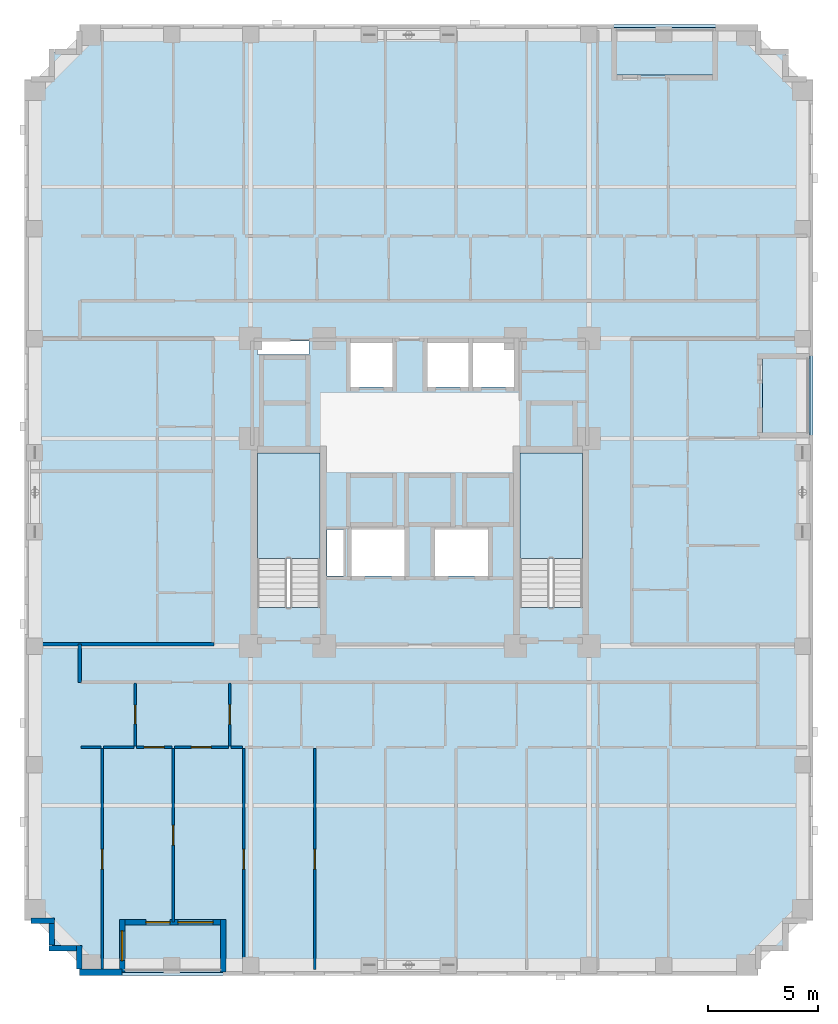
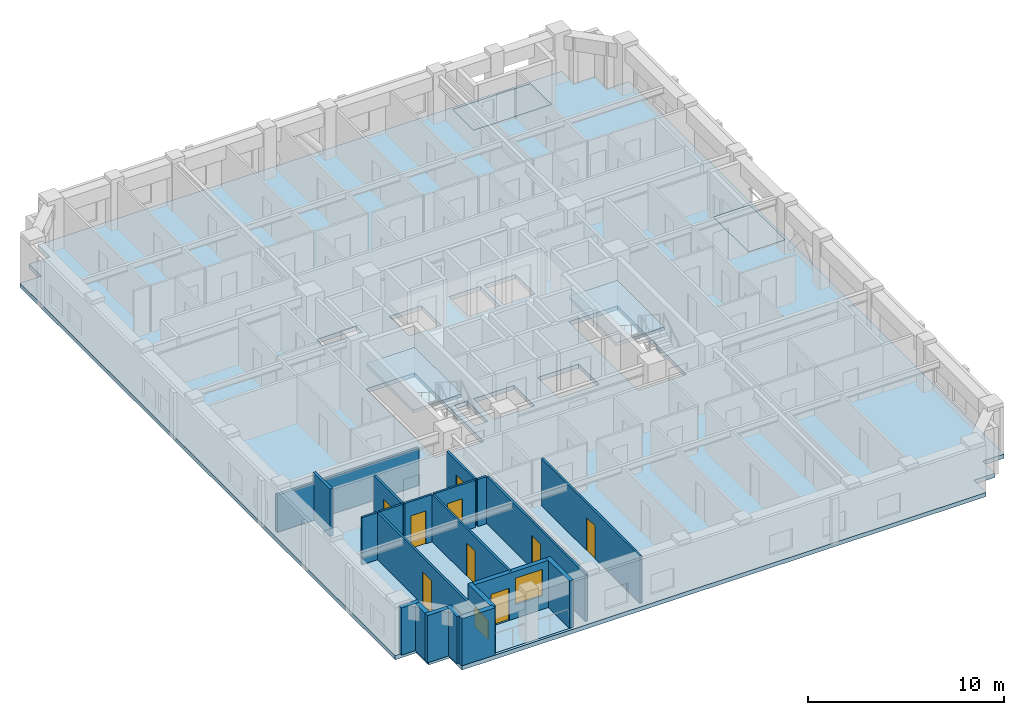
# One storey, part 2 of 13: 21 walls, 9 doors, 6 slabs, 2 windows, 11 openings, 2 elements without a shape of their own.
"""IFC4 building model written with IfcOpenShell, lengths in metres."""

from ifc_helpers import new_model, si_unit, derived_unit, direction, frame, frame_2d, origin, place, context, subcontext, project, spatial, polyline, rectangle, outline, extrude, material, layer, layer_set, type_object, element, fill, aggregate, save


model = new_model("IFC4")

# Units and contexts
model_context = context("Model", 3, precision=1e-05, world=origin(), true_north=direction((0.0, 1.0)))
body_context = subcontext(model_context, "Body", "Model", "MODEL_VIEW")
ifc_project = project(units=[si_unit("LENGTHUNIT", "METRE"), si_unit("AREAUNIT", "SQUARE_METRE"), si_unit("VOLUMEUNIT", "CUBIC_METRE"), si_unit("PLANEANGLEUNIT", "RADIAN"), si_unit("MASSUNIT", "GRAM", prefix="KILO"), derived_unit("THERMALTRANSMITTANCEUNIT", [(si_unit("MASSUNIT", "GRAM", prefix="KILO"), 1), (si_unit("TIMEUNIT", "SECOND"), -3), (si_unit("THERMODYNAMICTEMPERATUREUNIT", "KELVIN"), -1)])], contexts=[model_context])

# Site, building, storey
site_placement = place(None, origin())
site = spatial("IfcSite", under=ifc_project, at=site_placement, CompositionType="ELEMENT")
building_placement = place(site_placement, origin())
building = spatial("IfcBuilding", under=site, at=building_placement, Name="Korrvale Station Residences", CompositionType="ELEMENT")
storey_placement = place(building_placement, frame((0.0, 0.0, 100.699951171875)))
storey = spatial("IfcBuildingStorey", under=building, at=storey_placement, Name="L28", CompositionType="ELEMENT", Elevation=100.699951171875)

# Slabs
ifc_material_1 = material(Name="Concrete C50/60", Category="concrete")
ifc_layer_1 = layer(ifc_material_1, 0.219970703125, Name="Concrete C50/60")
ifc_layer_set_1 = layer_set([ifc_layer_1], Name="Concrete C50/60")
slab_type_1 = type_object("IfcSlabType", Name="SLB-BAL-220", PredefinedType="FLOOR", material=ifc_layer_set_1)
slab_1_placement = place(storey_placement, frame((0.0, 0.0, -0.219970703125)))
element("IfcSlab", 1, at=slab_1_placement, inside=storey, type_object=slab_type_1, Name="L28 Recessed Loggia Balcony Slab BAL-L28-S1", PredefinedType="FLOOR", context=body_context, shape_type="SweptSolid", body=[
    extrude(outline(polyline([(11.949951171875, 0.14990234375), (16.550048828125, 0.14990234375), (16.550048828125, 2.300048828125), (11.949951171875, 2.300048828125), (11.949951171875, 0.14990234375)])), origin(), (0.0, 0.0, 1.0), 0.219970703125),
])
slab_2_placement = place(storey_placement, frame((0.0, 0.0, -0.219970703125)))
element("IfcSlab", 2, at=slab_2_placement, inside=storey, type_object=slab_type_1, Name="L28 Recessed Loggia Balcony Slab BAL-L28-N1", PredefinedType="FLOOR", context=body_context, shape_type="SweptSolid", body=[
    extrude(outline(polyline([(34.35009765625, 41.0), (38.949951171875, 41.0), (38.949951171875, 43.14990234375), (34.35009765625, 43.14990234375), (34.35009765625, 41.0)])), origin(), (0.0, 0.0, 1.0), 0.219970703125),
])
slab_3_placement = place(storey_placement, frame((0.0, 0.0, -0.219970703125)))
element("IfcSlab", 3, at=slab_3_placement, inside=storey, type_object=slab_type_1, Name="L28 Recessed Loggia Balcony Slab BAL-L28-E1", PredefinedType="FLOOR", context=body_context, shape_type="SweptSolid", body=[
    extrude(outline(polyline([(41.10009765625, 24.60009765625), (43.25, 24.60009765625), (43.25, 28.199951171875), (41.10009765625, 28.199951171875), (41.10009765625, 24.60009765625)])), origin(), (0.0, 0.0, 1.0), 0.219970703125),
])
ifc_layer_2 = layer(ifc_material_1, 0.260009765625, Name="Concrete C50/60")
ifc_layer_set_2 = layer_set([ifc_layer_2], Name="Concrete C50/60")
slab_type_2 = type_object("IfcSlabType", Name="SLB-FLR-260", PredefinedType="FLOOR", material=ifc_layer_set_2)
slab_4_placement = place(storey_placement, frame((0.0, 0.0, -0.260009765625)))
element("IfcSlab", 4, at=slab_4_placement, inside=storey, type_object=slab_type_2, Name="L28 Suspended Structural Floor Slab", PredefinedType="FLOOR", context=body_context, shape_type="SweptSolid", body=[
    extrude(outline(polyline([(10.0, 0.0), (40.89990234375, 0.0), (40.89990234375, 1.25), (42.14990234375, 1.25), (42.14990234375, 2.5), (43.39990234375, 2.5), (43.39990234375, 40.800048828125), (42.14990234375, 40.800048828125), (42.14990234375, 42.050048828125), (40.89990234375, 42.050048828125), (40.89990234375, 43.300048828125), (10.0, 43.300048828125), (10.0, 42.050048828125), (8.75, 42.050048828125), (8.75, 40.800048828125), (7.5, 40.800048828125), (7.5, 2.5), (8.75, 2.5), (8.75, 1.25), (10.0, 1.25), (10.0, 0.0)]), holes=[polyline([(20.949951171875, 16.751953125), (20.949951171875, 23.800048828125), (18.10009765625, 23.800048828125), (18.10009765625, 16.751953125), (20.949951171875, 16.751953125)]), polyline([(32.89990234375, 16.751953125), (32.89990234375, 23.800048828125), (30.050048828125, 23.800048828125), (30.050048828125, 16.751953125), (32.89990234375, 16.751953125)]), polyline([(22.35009765625, 26.800048828125), (24.25, 26.800048828125), (24.25, 28.800048828125), (22.35009765625, 28.800048828125), (22.35009765625, 26.800048828125)]), polyline([(25.85009765625, 26.800048828125), (27.7099609375, 26.800048828125), (27.7099609375, 28.800048828125), (25.85009765625, 28.800048828125), (25.85009765625, 26.800048828125)]), polyline([(27.929931640625, 26.800048828125), (29.7900390625, 26.800048828125), (29.7900390625, 28.800048828125), (27.929931640625, 28.800048828125), (27.929931640625, 26.800048828125)]), polyline([(22.39990234375, 18.199951171875), (24.800048828125, 18.199951171875), (24.800048828125, 20.300048828125), (22.39990234375, 20.300048828125), (22.39990234375, 18.199951171875)]), polyline([(26.199951171875, 18.199951171875), (28.60009765625, 18.199951171875), (28.60009765625, 20.300048828125), (26.199951171875, 20.300048828125), (26.199951171875, 18.199951171875)]), polyline([(18.10009765625, 28.280029296875), (20.449951171875, 28.280029296875), (20.449951171875, 28.8798828125), (18.10009765625, 28.8798828125), (18.10009765625, 28.280029296875)]), polyline([(21.280029296875, 18.199951171875), (22.02001953125, 18.199951171875), (22.02001953125, 20.300048828125), (21.280029296875, 20.300048828125), (21.280029296875, 18.199951171875)]), polyline([(11.949951171875, 0.14990234375), (16.550048828125, 0.14990234375), (16.550048828125, 2.300048828125), (11.949951171875, 2.300048828125), (11.949951171875, 0.14990234375)]), polyline([(34.35009765625, 41.0), (38.949951171875, 41.0), (38.949951171875, 43.14990234375), (34.35009765625, 43.14990234375), (34.35009765625, 41.0)]), polyline([(41.10009765625, 24.60009765625), (43.25, 24.60009765625), (43.25, 28.199951171875), (41.10009765625, 28.199951171875), (41.10009765625, 24.60009765625)])]), origin(), (0.0, 0.0, 1.0), 0.260009765625),
])

# Stair, slab
stair_type = type_object("IfcStairType", Name="STR-DL-1350-18R-1778", PredefinedType="HALF_TURN_STAIR", material=ifc_material_1)
stair_1_placement = place(storey_placement, origin())
stair_1 = element("IfcStair", 5, at=stair_1_placement, inside=storey, type_object=stair_type, Name="L28 Exit Stair 1", PredefinedType="HALF_TURN_STAIR")
ifc_layer_3 = layer(ifc_material_1, 0.199951171875, Name="Concrete C50/60")
ifc_layer_set_3 = layer_set([ifc_layer_3], Name="Concrete C50/60")
slab_type_3 = type_object("IfcSlabType", Name="SLB-LND-200", PredefinedType="LANDING", material=ifc_layer_set_3)
slab_5_placement = place(storey_placement, frame((0.0, 0.0, 1.400146484375)))
slab_5 = element("IfcSlab", 6, at=slab_5_placement, type_object=slab_type_3, Name="ST-1 landing 1", PredefinedType="LANDING", context=body_context, shape_type="SweptSolid", body=[
    extrude(outline(polyline([(20.949951171875, 18.989990234375), (20.949951171875, 23.800048828125), (18.10009765625, 23.800048828125), (18.10009765625, 18.989990234375), (20.949951171875, 18.989990234375)])), origin(), (0.0, 0.0, 1.0), 0.199951171875),
])
aggregate(stair_1, [slab_5])

stair_2_placement = place(storey_placement, origin())
stair_2 = element("IfcStair", 7, at=stair_2_placement, inside=storey, type_object=stair_type, Name="L28 Exit Stair 2", PredefinedType="HALF_TURN_STAIR")
slab_6_placement = place(storey_placement, frame((0.0, 0.0, 1.400146484375)))
slab_6 = element("IfcSlab", 8, at=slab_6_placement, type_object=slab_type_3, Name="ST-2 landing 1", PredefinedType="LANDING", context=body_context, shape_type="SweptSolid", body=[
    extrude(outline(polyline([(32.89990234375, 18.989990234375), (32.89990234375, 23.800048828125), (30.050048828125, 23.800048828125), (30.050048828125, 18.989990234375), (32.89990234375, 18.989990234375)])), origin(), (0.0, 0.0, 1.0), 0.199951171875),
])
aggregate(stair_2, [slab_6])

# Wall
ifc_material_2 = material(Name="Precast concrete C45/55", Category="concrete")
ifc_layer_4 = layer(ifc_material_2, 0.260009765625, Name="Precast concrete C45/55")
ifc_layer_set_4 = layer_set([ifc_layer_4], Name="Precast concrete C45/55")
wall_type_1 = type_object("IfcWallType", Name="WAL-EXT-LOG260", PredefinedType="SOLIDWALL", material=ifc_layer_set_4)
wall_1_placement = place(storey_placement, frame((16.550048828125, 0.159912109375, 0.0), z_axis=(0.0, 0.0, 1.0), x_axis=(0.0, 1.0, 0.0)))
element("IfcWall", 9, at=wall_1_placement, inside=storey, type_object=wall_type_1, Name="L28 Recessed Loggia Wall BAL-L28-S1-L", PredefinedType="SOLIDWALL", context=body_context, shape_type="SweptSolid", body=[
    extrude(rectangle(XDim=2.400146484375, YDim=0.260009765625, at=frame_2d((1.2001953125, 0.0))), origin(), (0.0, 0.0, 1.0), 2.93994140625),
])

# Wall, openings, door, window
wall_2_placement = place(storey_placement, frame((16.416015625, 2.429931640625, 0.0), z_axis=(0.0, 0.0, 1.0), x_axis=(-1.0, 0.0, 0.0)))
wall_2 = element("IfcWall", 10, at=wall_2_placement, inside=storey, type_object=wall_type_1, Name="L28 Recessed Loggia Wall BAL-L28-S1-B", PredefinedType="SOLIDWALL", context=body_context, shape_type="SweptSolid", body=[
    extrude(rectangle(XDim=4.33203125, YDim=0.260009765625, at=frame_2d((2.166015625, 0.0))), origin(), (0.0, 0.0, 1.0), 2.93994140625),
])
opening_1_placement = place(wall_2_placement, frame((2.285888671875, 0.0, 0.0)))
opening_1 = element("IfcOpeningElement", 11, at=opening_1_placement, cuts=wall_2, Name="Opening BD-01", PredefinedType="OPENING", context=body_context, shape_type="SweptSolid", body=[
    extrude(rectangle(XDim=1.10009765625, YDim=2.0, at=frame_2d((0.550048828125, 1.0))), frame((0.0, 0.14013671875, 0.0), z_axis=(0.0, -1.0, 0.0), x_axis=(1.0, 0.0, 0.0)), (0.0, 0.0, 1.0), 0.280029296875),
])
opening_2_placement = place(wall_2_placement, frame((0.325927734375, 0.0, 0.85009765625)))
opening_2 = element("IfcOpeningElement", 12, at=opening_2_placement, cuts=wall_2, Name="Opening W-05", PredefinedType="OPENING", context=body_context, shape_type="SweptSolid", body=[
    extrude(rectangle(XDim=1.60009765625, YDim=1.64990234375, at=frame_2d((0.800048828125, 0.824951171875))), frame((0.0, 0.14013671875, 0.0), z_axis=(0.0, -1.0, 0.0), x_axis=(1.0, 0.0, 0.0)), (0.0, 0.0, 1.0), 0.280029296875),
])
ifc_material_3 = material(Name="Exterior thermally broken aluminium glazed balcony door", Category="aluminium")
door_type_1 = type_object("IfcDoorType", Name="DR-EXT-BAL", OperationType="NOTDEFINED", PredefinedType="DOOR", material=ifc_material_3)
door_1_placement = place(opening_1_placement, origin())
door_1 = element("IfcDoor", 13, at=door_1_placement, inside=storey, type_object=door_type_1, Name="L28 Loggia Balcony Door BAL-L28-S1", OperationType="SINGLE_SWING_RIGHT", OverallHeight=2.0, OverallWidth=1.10009765625, PredefinedType="DOOR", context=body_context, shape_type="SweptSolid", body=[
    extrude(rectangle(XDim=1.10009765625, YDim=2.0, at=frame_2d((0.550048828125, 1.0))), frame((0.0, 0.02490234375, 0.0), z_axis=(0.0, -1.0, 0.0), x_axis=(1.0, 0.0, 0.0)), (0.0, 0.0, 1.0), 0.050048828125),
])
fill(opening_1, door_1)
ifc_material_4 = material(Name="Thermally broken aluminium frame with triple low-e glazing", Category="aluminium")
window_type_1 = type_object("IfcWindowType", Name="WIN-W05", PartitioningType="DOUBLE_PANEL_VERTICAL", PredefinedType="WINDOW", material=ifc_material_4)
window_1_placement = place(opening_2_placement, origin())
window_1 = element("IfcWindow", 14, at=window_1_placement, inside=storey, type_object=window_type_1, Name="L28 Punched Window 04", OverallHeight=1.64990234375, OverallWidth=1.60009765625, PartitioningType="DOUBLE_PANEL_VERTICAL", PredefinedType="WINDOW", context=body_context, shape_type="SweptSolid", body=[
    extrude(rectangle(XDim=1.60009765625, YDim=1.64990234375, at=frame_2d((0.800048828125, 0.824951171875))), frame((0.0, 0.030029296875, 0.0), z_axis=(0.0, -1.0, 0.0), x_axis=(1.0, 0.0, 0.0)), (0.0, 0.0, 1.0), 0.06005859375),
])
fill(opening_2, window_1)

# Wall, opening, window
wall_3_placement = place(storey_placement, frame((11.949951171875, 2.56005859375, 0.0), z_axis=(0.0, 0.0, 1.0), x_axis=(0.0, -1.0, 0.0)))
wall_3 = element("IfcWall", 15, at=wall_3_placement, inside=storey, type_object=wall_type_1, Name="L28 Recessed Loggia Wall BAL-L28-S1-R", PredefinedType="SOLIDWALL", context=body_context, shape_type="SweptSolid", body=[
    extrude(rectangle(XDim=2.400146484375, YDim=0.260009765625, at=frame_2d((1.2001953125, 0.0))), origin(), (0.0, 0.0, 1.0), 2.93994140625),
])
opening_3_placement = place(wall_3_placement, frame((0.52490234375, 0.0, 0.550048828125)))
opening_3 = element("IfcOpeningElement", 16, at=opening_3_placement, cuts=wall_3, Name="Opening W-10", PredefinedType="OPENING", context=body_context, shape_type="SweptSolid", body=[
    extrude(rectangle(XDim=1.35009765625, YDim=1.199951171875, at=frame_2d((0.675048828125, 0.60009765625))), frame((0.0, 0.14013671875, 0.0), z_axis=(0.0, -1.0, 0.0), x_axis=(1.0, 0.0, 0.0)), (0.0, 0.0, 1.0), 0.280029296875),
])
window_type_2 = type_object("IfcWindowType", Name="WIN-W10", PartitioningType="SINGLE_PANEL", PredefinedType="WINDOW", material=ifc_material_4)
window_2_placement = place(opening_3_placement, origin())
window_2 = element("IfcWindow", 17, at=window_2_placement, inside=storey, type_object=window_type_2, Name="L28 Punched Window 03", OverallHeight=1.199951171875, OverallWidth=1.35009765625, PartitioningType="SINGLE_PANEL", PredefinedType="WINDOW", context=body_context, shape_type="SweptSolid", body=[
    extrude(rectangle(XDim=1.35009765625, YDim=1.199951171875, at=frame_2d((0.675048828125, 0.60009765625))), frame((0.0, 0.030029296875, 0.0), z_axis=(0.0, -1.0, 0.0), x_axis=(1.0, 0.0, 0.0)), (0.0, 0.0, 1.0), 0.06005859375),
])
fill(opening_3, window_2)

# Walls
wall_4_placement = place(storey_placement, frame((10.0, 0.302001953125, 0.0), z_axis=(0.0, 0.0, 1.0), x_axis=(0.0, 1.0, 0.0)))
element("IfcWall", 18, at=wall_4_placement, inside=storey, type_object=wall_type_1, Name="L28 Serrated Corner Precast Step SW-1", PredefinedType="SOLIDWALL", context=body_context, shape_type="SweptSolid", body=[
    extrude(rectangle(XDim=1.077880859375, YDim=0.260009765625, at=frame_2d((0.5390625, 0.0))), origin(), (0.0, 0.0, 1.0), 2.93994140625),
])
wall_5_placement = place(storey_placement, frame((9.867919921875, 1.25, 0.0), z_axis=(0.0, 0.0, 1.0), x_axis=(-1.0, 0.0, 0.0)))
element("IfcWall", 19, at=wall_5_placement, inside=storey, type_object=wall_type_1, Name="L28 Serrated Corner Precast Step SW-2", PredefinedType="SOLIDWALL", context=body_context, shape_type="SweptSolid", body=[
    extrude(rectangle(XDim=1.247802734375, YDim=0.260009765625, at=frame_2d((0.6240234375, 0.0))), origin(), (0.0, 0.0, 1.0), 2.93994140625),
])
wall_6_placement = place(storey_placement, frame((8.75, 1.382080078125, 0.0), z_axis=(0.0, 0.0, 1.0), x_axis=(0.0, 1.0, 0.0)))
element("IfcWall", 20, at=wall_6_placement, inside=storey, type_object=wall_type_1, Name="L28 Serrated Corner Precast Step SW-3", PredefinedType="SOLIDWALL", context=body_context, shape_type="SweptSolid", body=[
    extrude(rectangle(XDim=0.98583984375, YDim=0.260009765625, at=frame_2d((0.492919921875, 0.0))), origin(), (0.0, 0.0, 1.0), 2.93994140625),
])
wall_7_placement = place(storey_placement, frame((8.8798828125, 2.5, 0.0), z_axis=(0.0, 0.0, 1.0), x_axis=(-1.0, 0.0, 0.0)))
element("IfcWall", 21, at=wall_7_placement, inside=storey, type_object=wall_type_1, Name="L28 Serrated Corner Precast Step SW-4", PredefinedType="SOLIDWALL", context=body_context, shape_type="SweptSolid", body=[
    extrude(rectangle(XDim=1.077880859375, YDim=0.260009765625, at=frame_2d((0.5390625, 0.0))), origin(), (0.0, 0.0, 1.0), 2.93994140625),
])
ifc_layer_5 = layer(ifc_material_2, 0.300048828125, Name="Precast concrete C45/55")
ifc_layer_set_5 = layer_set([ifc_layer_5], Name="Precast concrete C45/55")
wall_type_2 = type_object("IfcWallType", Name="WAL-EXT-PC300", PredefinedType="SOLIDWALL", material=ifc_layer_set_5)
wall_8_placement = place(storey_placement, frame((11.949951171875, 0.14990234375, 0.0), z_axis=(0.0, 0.0, 1.0), x_axis=(-1.0, 0.0, 0.0)))
element("IfcWall", 22, at=wall_8_placement, inside=storey, type_object=wall_type_2, Name="L28 South Exterior Precast Wall 2", PredefinedType="SOLIDWALL", context=body_context, shape_type="SweptSolid", body=[
    extrude(rectangle(XDim=1.949951171875, YDim=0.300048828125, at=frame_2d((0.97509765625, 0.0))), origin(), (0.0, 0.0, 1.0), 2.93994140625),
])

# Wall, opening, door
ifc_material_5 = material(Name="Acoustic steel-stud gypsum board partition", Category="steel")
ifc_layer_6 = layer(ifc_material_5, 0.1201171875, Name="Acoustic steel-stud gypsum board partition")
ifc_layer_set_6 = layer_set([ifc_layer_6], Name="Acoustic steel-stud gypsum board partition")
wall_type_3 = type_object("IfcWallType", Name="WAL-PART-125", PredefinedType="PARTITIONING", material=ifc_layer_set_6)
wall_9_placement = place(storey_placement, frame((12.5400390625, 10.4599609375, 0.0), z_axis=(0.0, 0.0, 1.0), x_axis=(0.0, 1.0, 0.0)))
wall_9 = element("IfcWall", 23, at=wall_9_placement, inside=storey, type_object=wall_type_3, Name="L28 Suite Partition U01-V01", PredefinedType="PARTITIONING", context=body_context, shape_type="SweptSolid", body=[
    extrude(rectangle(XDim=2.85009765625, YDim=0.1201171875, at=frame_2d((1.425048828125, 0.0))), origin(), (0.0, 0.0, 1.0), 2.93994140625),
])
opening_4_placement = place(wall_9_placement, frame((0.9951171875, 0.0, 0.0)))
opening_4 = element("IfcOpeningElement", 24, at=opening_4_placement, cuts=wall_9, Name="Opening DB-860", PredefinedType="OPENING", context=body_context, shape_type="SweptSolid", body=[
    extrude(rectangle(XDim=0.860107421875, YDim=2.050048828125, at=frame_2d((0.43017578125, 1.02490234375))), frame((0.0, 0.070068359375, 0.0), z_axis=(0.0, -1.0, 0.0), x_axis=(1.0, 0.0, 0.0)), (0.0, 0.0, 1.0), 0.14013671875),
])
ifc_material_6 = material(Name="Moisture-resistant solid-core bathroom door", Category="timber")
door_type_2 = type_object("IfcDoorType", Name="DR-BATH-860", OperationType="NOTDEFINED", PredefinedType="DOOR", material=ifc_material_6)
door_2_placement = place(opening_4_placement, origin())
door_2 = element("IfcDoor", 25, at=door_2_placement, inside=storey, type_object=door_type_2, Name="L28 Studio Apartment L28-U01 Bathroom Door", OperationType="SINGLE_SWING_RIGHT", OverallHeight=2.050048828125, OverallWidth=0.860107421875, PredefinedType="DOOR", context=body_context, shape_type="SweptSolid", body=[
    extrude(rectangle(XDim=0.860107421875, YDim=2.050048828125, at=frame_2d((0.43017578125, 1.02490234375))), frame((0.0, 0.02490234375, 0.0), z_axis=(0.0, -1.0, 0.0), x_axis=(1.0, 0.0, 0.0)), (0.0, 0.0, 1.0), 0.050048828125),
])
fill(opening_4, door_2)

# Walls
wall_10_placement = place(storey_placement, frame((10.080078125, 10.39990234375, 0.0), z_axis=(0.0, 0.0, 1.0), x_axis=(1.0, 0.0, 0.0)))
element("IfcWall", 26, at=wall_10_placement, inside=storey, type_object=wall_type_3, Name="L28 Suite Partition U01-H09", PredefinedType="PARTITIONING", context=body_context, shape_type="SweptSolid", body=[
    extrude(rectangle(XDim=0.909912109375, YDim=0.1201171875, at=frame_2d((0.455078125, 0.0))), origin(), (0.0, 0.0, 1.0), 2.93994140625),
])
wall_11_placement = place(storey_placement, frame((11.110107421875, 10.39990234375, 0.0), z_axis=(0.0, 0.0, 1.0), x_axis=(1.0, 0.0, 0.0)))
element("IfcWall", 27, at=wall_11_placement, inside=storey, type_object=wall_type_3, Name="L28 Suite Partition U01-H010", PredefinedType="PARTITIONING", context=body_context, shape_type="SweptSolid", body=[
    extrude(rectangle(XDim=1.369873046875, YDim=0.1201171875, at=frame_2d((0.68505859375, 0.0))), origin(), (0.0, 0.0, 1.0), 2.93994140625),
])

# Wall, opening, door
wall_12_placement = place(storey_placement, frame((16.840087890625, 10.4599609375, 0.0), z_axis=(0.0, 0.0, 1.0), x_axis=(0.0, 1.0, 0.0)))
wall_12 = element("IfcWall", 28, at=wall_12_placement, inside=storey, type_object=wall_type_3, Name="L28 Suite Partition U01-V12", PredefinedType="PARTITIONING", context=body_context, shape_type="SweptSolid", body=[
    extrude(rectangle(XDim=2.85009765625, YDim=0.1201171875, at=frame_2d((1.425048828125, 0.0))), origin(), (0.0, 0.0, 1.0), 2.93994140625),
])
opening_5_placement = place(wall_12_placement, frame((0.97509765625, 0.0, 0.0)))
opening_5 = element("IfcOpeningElement", 29, at=opening_5_placement, cuts=wall_12, Name="Opening DI-900", PredefinedType="OPENING", context=body_context, shape_type="SweptSolid", body=[
    extrude(rectangle(XDim=0.89990234375, YDim=2.050048828125, at=frame_2d((0.449951171875, 1.02490234375))), frame((0.0, 0.070068359375, 0.0), z_axis=(0.0, -1.0, 0.0), x_axis=(1.0, 0.0, 0.0)), (0.0, 0.0, 1.0), 0.14013671875),
])
ifc_material_7 = material(Name="Painted solid-core timber interior room door", Category="wood")
door_type_3 = type_object("IfcDoorType", Name="DR-INT-900", OperationType="NOTDEFINED", PredefinedType="DOOR", material=ifc_material_7)
door_3_placement = place(opening_5_placement, origin())
door_3 = element("IfcDoor", 30, at=door_3_placement, inside=storey, type_object=door_type_3, Name="L28 Studio Apartment L28-U01 Kitchen Door", OperationType="SINGLE_SWING_LEFT", OverallHeight=2.050048828125, OverallWidth=0.89990234375, PredefinedType="DOOR", context=body_context, shape_type="SweptSolid", body=[
    extrude(rectangle(XDim=0.89990234375, YDim=2.050048828125, at=frame_2d((0.449951171875, 1.02490234375))), frame((0.0, 0.02490234375, 0.0), z_axis=(0.0, -1.0, 0.0), x_axis=(1.0, 0.0, 0.0)), (0.0, 0.0, 1.0), 0.050048828125),
])
fill(opening_5, door_3)

wall_13_placement = place(storey_placement, frame((12.60009765625, 10.39990234375, 0.0), z_axis=(0.0, 0.0, 1.0), x_axis=(1.0, 0.0, 0.0)))
wall_13 = element("IfcWall", 31, at=wall_13_placement, inside=storey, type_object=wall_type_3, Name="L28 Suite Partition U01-H110", PredefinedType="PARTITIONING", context=body_context, shape_type="SweptSolid", body=[
    extrude(rectangle(XDim=1.60986328125, YDim=0.1201171875, at=frame_2d((0.804931640625, 0.0))), origin(), (0.0, 0.0, 1.0), 2.93994140625),
])
opening_6_placement = place(wall_13_placement, frame((0.35498046875, 0.0, 0.0)))
opening_6 = element("IfcOpeningElement", 32, at=opening_6_placement, cuts=wall_13, Name="Opening DI-900", PredefinedType="OPENING", context=body_context, shape_type="SweptSolid", body=[
    extrude(rectangle(XDim=0.89990234375, YDim=2.050048828125, at=frame_2d((0.449951171875, 1.02490234375))), frame((0.0, 0.070068359375, 0.0), z_axis=(0.0, -1.0, 0.0), x_axis=(1.0, 0.0, 0.0)), (0.0, 0.0, 1.0), 0.14013671875),
])
door_4_placement = place(opening_6_placement, origin())
door_4 = element("IfcDoor", 33, at=door_4_placement, inside=storey, type_object=door_type_3, Name="L28 Studio Apartment L28-U01 Kitchen Door", OperationType="SINGLE_SWING_RIGHT", OverallHeight=2.050048828125, OverallWidth=0.89990234375, PredefinedType="DOOR", context=body_context, shape_type="SweptSolid", body=[
    extrude(rectangle(XDim=0.89990234375, YDim=2.050048828125, at=frame_2d((0.449951171875, 1.02490234375))), frame((0.0, 0.02490234375, 0.0), z_axis=(0.0, -1.0, 0.0), x_axis=(1.0, 0.0, 0.0)), (0.0, 0.0, 1.0), 0.050048828125),
])
fill(opening_6, door_4)

wall_14_placement = place(storey_placement, frame((14.330078125, 10.39990234375, 0.0), z_axis=(0.0, 0.0, 1.0), x_axis=(1.0, 0.0, 0.0)))
wall_14 = element("IfcWall", 34, at=wall_14_placement, inside=storey, type_object=wall_type_3, Name="L28 Suite Partition U01-H111", PredefinedType="PARTITIONING", context=body_context, shape_type="SweptSolid", body=[
    extrude(rectangle(XDim=2.449951171875, YDim=0.1201171875, at=frame_2d((1.22509765625, 0.0))), origin(), (0.0, 0.0, 1.0), 2.93994140625),
])
opening_7_placement = place(wall_14_placement, frame((0.77490234375, 0.0, 0.0)))
opening_7 = element("IfcOpeningElement", 35, at=opening_7_placement, cuts=wall_14, Name="Opening DI-900", PredefinedType="OPENING", context=body_context, shape_type="SweptSolid", body=[
    extrude(rectangle(XDim=0.89990234375, YDim=2.050048828125, at=frame_2d((0.449951171875, 1.02490234375))), frame((0.0, 0.070068359375, 0.0), z_axis=(0.0, -1.0, 0.0), x_axis=(1.0, 0.0, 0.0)), (0.0, 0.0, 1.0), 0.14013671875),
])
door_5_placement = place(opening_7_placement, origin())
door_5 = element("IfcDoor", 36, at=door_5_placement, inside=storey, type_object=door_type_3, Name="L28 Studio Apartment L28-U01 Kitchen Door", OperationType="SINGLE_SWING_LEFT", OverallHeight=2.050048828125, OverallWidth=0.89990234375, PredefinedType="DOOR", context=body_context, shape_type="SweptSolid", body=[
    extrude(rectangle(XDim=0.89990234375, YDim=2.050048828125, at=frame_2d((0.449951171875, 1.02490234375))), frame((0.0, 0.02490234375, 0.0), z_axis=(0.0, -1.0, 0.0), x_axis=(1.0, 0.0, 0.0)), (0.0, 0.0, 1.0), 0.050048828125),
])
fill(opening_7, door_5)

# Wall
wall_15_placement = place(storey_placement, frame((16.89990234375, 10.39990234375, 0.0), z_axis=(0.0, 0.0, 1.0), x_axis=(1.0, 0.0, 0.0)))
element("IfcWall", 37, at=wall_15_placement, inside=storey, type_object=wall_type_3, Name="L28 Suite Partition U01-H211", PredefinedType="PARTITIONING", context=body_context, shape_type="SweptSolid", body=[
    extrude(rectangle(XDim=0.530029296875, YDim=0.1201171875, at=frame_2d((0.26513671875, 0.0))), origin(), (0.0, 0.0, 1.0), 2.93994140625),
])

# Wall, opening, door
wall_16_placement = place(storey_placement, frame((11.050048828125, 0.280029296875, 0.0), z_axis=(0.0, 0.0, 1.0), x_axis=(0.0, 1.0, 0.0)))
wall_16 = element("IfcWall", 38, at=wall_16_placement, inside=storey, type_object=wall_type_3, Name="L28 Suite Partition U01-V910", PredefinedType="PARTITIONING", context=body_context, shape_type="SweptSolid", body=[
    extrude(rectangle(XDim=10.06005859375, YDim=0.1201171875, at=frame_2d((5.030029296875, 0.0))), origin(), (0.0, 0.0, 1.0), 2.93994140625),
])
opening_8_placement = place(wall_16_placement, frame((4.56494140625, 0.0, 0.0)))
opening_8 = element("IfcOpeningElement", 39, at=opening_8_placement, cuts=wall_16, Name="Opening DI-900", PredefinedType="OPENING", context=body_context, shape_type="SweptSolid", body=[
    extrude(rectangle(XDim=0.89990234375, YDim=2.050048828125, at=frame_2d((0.449951171875, 1.02490234375))), frame((0.0, 0.070068359375, 0.0), z_axis=(0.0, -1.0, 0.0), x_axis=(1.0, 0.0, 0.0)), (0.0, 0.0, 1.0), 0.14013671875),
])
door_6_placement = place(opening_8_placement, origin())
door_6 = element("IfcDoor", 40, at=door_6_placement, inside=storey, type_object=door_type_3, Name="L28 Studio Apartment L28-U01 Walk-In Wardrobe Door", OperationType="SINGLE_SWING_LEFT", OverallHeight=2.050048828125, OverallWidth=0.89990234375, PredefinedType="DOOR", context=body_context, shape_type="SweptSolid", body=[
    extrude(rectangle(XDim=0.89990234375, YDim=2.050048828125, at=frame_2d((0.449951171875, 1.02490234375))), frame((0.0, 0.02490234375, 0.0), z_axis=(0.0, -1.0, 0.0), x_axis=(1.0, 0.0, 0.0)), (0.0, 0.0, 1.0), 0.050048828125),
])
fill(opening_8, door_6)

wall_17_placement = place(storey_placement, frame((14.27001953125, 2.429931640625, 0.0), z_axis=(0.0, 0.0, 1.0), x_axis=(0.0, 1.0, 0.0)))
wall_17 = element("IfcWall", 41, at=wall_17_placement, inside=storey, type_object=wall_type_3, Name="L28 Suite Partition U01-V1011", PredefinedType="PARTITIONING", context=body_context, shape_type="SweptSolid", body=[
    extrude(rectangle(XDim=7.91015625, YDim=0.1201171875, at=frame_2d((3.955078125, 0.0))), origin(), (0.0, 0.0, 1.0), 2.93994140625),
])
opening_9_placement = place(wall_17_placement, frame((3.5048828125, 0.0, 0.0)))
opening_9 = element("IfcOpeningElement", 42, at=opening_9_placement, cuts=wall_17, Name="Opening DI-900", PredefinedType="OPENING", context=body_context, shape_type="SweptSolid", body=[
    extrude(rectangle(XDim=0.89990234375, YDim=2.050048828125, at=frame_2d((0.449951171875, 1.02490234375))), frame((0.0, 0.070068359375, 0.0), z_axis=(0.0, -1.0, 0.0), x_axis=(1.0, 0.0, 0.0)), (0.0, 0.0, 1.0), 0.14013671875),
])
door_7_placement = place(opening_9_placement, origin())
door_7 = element("IfcDoor", 43, at=door_7_placement, inside=storey, type_object=door_type_3, Name="L28 Studio Apartment L28-U01 Formal Dining Room Door", OperationType="SINGLE_SWING_RIGHT", OverallHeight=2.050048828125, OverallWidth=0.89990234375, PredefinedType="DOOR", context=body_context, shape_type="SweptSolid", body=[
    extrude(rectangle(XDim=0.89990234375, YDim=2.050048828125, at=frame_2d((0.449951171875, 1.02490234375))), frame((0.0, 0.02490234375, 0.0), z_axis=(0.0, -1.0, 0.0), x_axis=(1.0, 0.0, 0.0)), (0.0, 0.0, 1.0), 0.050048828125),
])
fill(opening_9, door_7)

wall_18_placement = place(storey_placement, frame((17.489990234375, 0.280029296875, 0.0), z_axis=(0.0, 0.0, 1.0), x_axis=(0.0, 1.0, 0.0)))
wall_18 = element("IfcWall", 44, at=wall_18_placement, inside=storey, type_object=wall_type_3, Name="L28 Suite Partition U01-V1112", PredefinedType="PARTITIONING", context=body_context, shape_type="SweptSolid", body=[
    extrude(rectangle(XDim=10.06005859375, YDim=0.1201171875, at=frame_2d((5.030029296875, 0.0))), origin(), (0.0, 0.0, 1.0), 2.93994140625),
])
opening_10_placement = place(wall_18_placement, frame((4.56494140625, 0.0, 0.0)))
opening_10 = element("IfcOpeningElement", 45, at=opening_10_placement, cuts=wall_18, Name="Opening DI-900", PredefinedType="OPENING", context=body_context, shape_type="SweptSolid", body=[
    extrude(rectangle(XDim=0.89990234375, YDim=2.050048828125, at=frame_2d((0.449951171875, 1.02490234375))), frame((0.0, 0.070068359375, 0.0), z_axis=(0.0, -1.0, 0.0), x_axis=(1.0, 0.0, 0.0)), (0.0, 0.0, 1.0), 0.14013671875),
])
door_8_placement = place(opening_10_placement, origin())
door_8 = element("IfcDoor", 46, at=door_8_placement, inside=storey, type_object=door_type_3, Name="L28 Studio Apartment L28-U01 Formal Dining Room Door", OperationType="SINGLE_SWING_LEFT", OverallHeight=2.050048828125, OverallWidth=0.89990234375, PredefinedType="DOOR", context=body_context, shape_type="SweptSolid", body=[
    extrude(rectangle(XDim=0.89990234375, YDim=2.050048828125, at=frame_2d((0.449951171875, 1.02490234375))), frame((0.0, 0.02490234375, 0.0), z_axis=(0.0, -1.0, 0.0), x_axis=(1.0, 0.0, 0.0)), (0.0, 0.0, 1.0), 0.050048828125),
])
fill(opening_10, door_8)

wall_19_placement = place(storey_placement, frame((20.7099609375, 0.280029296875, 0.0), z_axis=(0.0, 0.0, 1.0), x_axis=(0.0, 1.0, 0.0)))
wall_19 = element("IfcWall", 47, at=wall_19_placement, inside=storey, type_object=wall_type_3, Name="L28 Suite Partition U01-V1213", PredefinedType="PARTITIONING", context=body_context, shape_type="SweptSolid", body=[
    extrude(rectangle(XDim=10.06005859375, YDim=0.1201171875, at=frame_2d((5.030029296875, 0.0))), origin(), (0.0, 0.0, 1.0), 2.93994140625),
])
opening_11_placement = place(wall_19_placement, frame((4.56494140625, 0.0, 0.0)))
opening_11 = element("IfcOpeningElement", 48, at=opening_11_placement, cuts=wall_19, Name="Opening DI-900", PredefinedType="OPENING", context=body_context, shape_type="SweptSolid", body=[
    extrude(rectangle(XDim=0.89990234375, YDim=2.050048828125, at=frame_2d((0.449951171875, 1.02490234375))), frame((0.0, 0.070068359375, 0.0), z_axis=(0.0, -1.0, 0.0), x_axis=(1.0, 0.0, 0.0)), (0.0, 0.0, 1.0), 0.14013671875),
])
door_9_placement = place(opening_11_placement, origin())
door_9 = element("IfcDoor", 49, at=door_9_placement, inside=storey, type_object=door_type_3, Name="L28 Studio Apartment L28-U01 Formal Dining Room Door", OperationType="SINGLE_SWING_RIGHT", OverallHeight=2.050048828125, OverallWidth=0.89990234375, PredefinedType="DOOR", context=body_context, shape_type="SweptSolid", body=[
    extrude(rectangle(XDim=0.89990234375, YDim=2.050048828125, at=frame_2d((0.449951171875, 1.02490234375))), frame((0.0, 0.02490234375, 0.0), z_axis=(0.0, -1.0, 0.0), x_axis=(1.0, 0.0, 0.0)), (0.0, 0.0, 1.0), 0.050048828125),
])
fill(opening_11, door_9)

# Walls
ifc_material_8 = material(Name="Fire-rated twin-stud gypsum and mineral wool shaftwall assembly", Category="gypsum")
ifc_layer_7 = layer(ifc_material_8, 0.159912109375, Name="Fire-rated twin-stud gypsum and mineral wool shaftwall assembly")
ifc_layer_set_7 = layer_set([ifc_layer_7], Name="Fire-rated twin-stud gypsum and mineral wool shaftwall assembly")
wall_type_4 = type_object("IfcWallType", Name="WAL-PART-200", PredefinedType="PARTITIONING", material=ifc_layer_set_7)
wall_20_placement = place(storey_placement, frame((10.02001953125, 13.35009765625, 0.0), z_axis=(0.0, 0.0, 1.0), x_axis=(0.0, 1.0, 0.0)))
element("IfcWall", 50, at=wall_20_placement, inside=storey, type_object=wall_type_4, Name="L28 Corridor South West Cap", PredefinedType="PARTITIONING", context=body_context, shape_type="SweptSolid", body=[
    extrude(rectangle(XDim=1.739990234375, YDim=0.159912109375, at=frame_2d((0.8701171875, 0.0))), origin(), (0.0, 0.0, 1.0), 2.93994140625),
])
wall_21_placement = place(storey_placement, frame((7.780029296875, 15.090087890625, 0.0), z_axis=(0.0, 0.0, 1.0), x_axis=(1.0, 0.0, 0.0)))
element("IfcWall", 51, at=wall_21_placement, inside=storey, type_object=wall_type_4, Name="L28 West Wing South Corridor Wall", PredefinedType="PARTITIONING", context=body_context, shape_type="SweptSolid", body=[
    extrude(rectangle(XDim=8.35986328125, YDim=0.159912109375, at=frame_2d((4.179931640625, 0.0))), origin(), (0.0, 0.0, 1.0), 2.31298828125),
])

save(model, "model.ifc")
